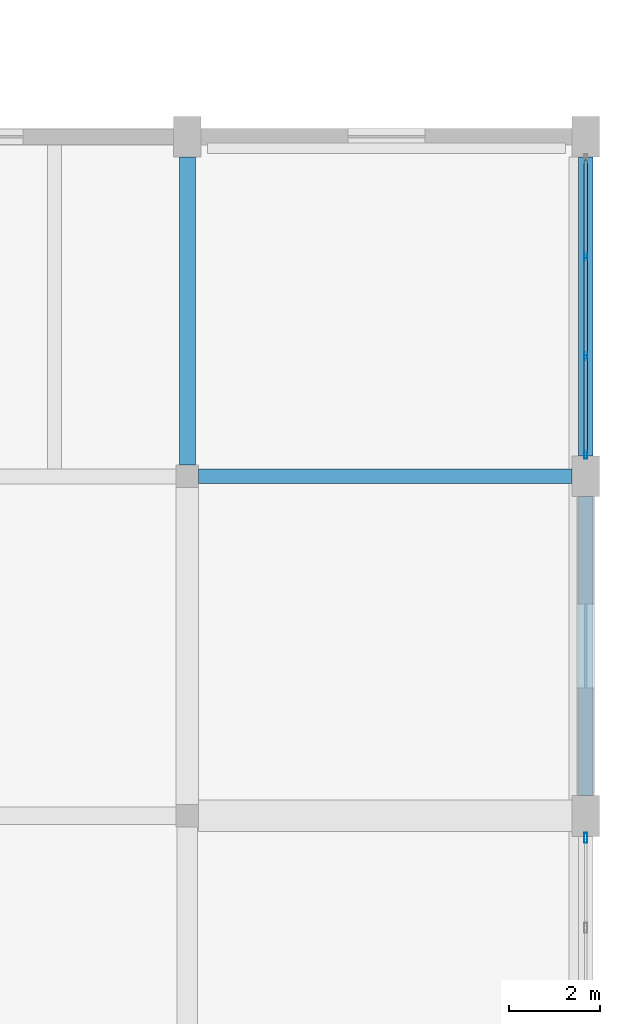
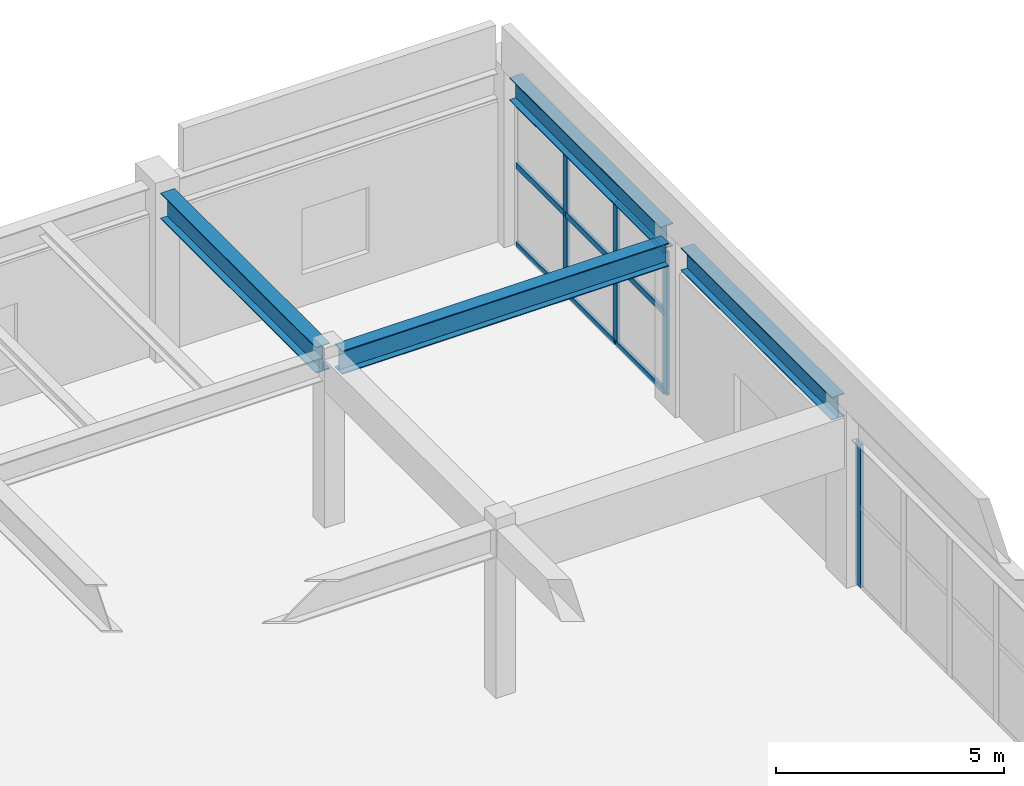
# One storey, part 48 of 80: 13 members, 4 beams, 2 elements without a shape of their own.
"""IFC4 building model written with IfcOpenShell, lengths in metres."""

from ifc_helpers import new_model, si_unit, direction, frame, origin, origin_2d, place, context, subcontext, project, spatial, hollow_rectangle, i_section, extrude, material, layer, layer_set, material_profile, profile_set, type_object, element, aggregate, save


model = new_model("IFC4")

# Units and contexts
model_context = context("Model", 3, precision=1e-05, world=origin(), true_north=direction((0.0, 1.0)))
body_context = subcontext(model_context, "Body", "Model", "MODEL_VIEW")
ifc_project = project(units=[si_unit("LENGTHUNIT", "METRE"), si_unit("AREAUNIT", "SQUARE_METRE"), si_unit("VOLUMEUNIT", "CUBIC_METRE"), si_unit("PLANEANGLEUNIT", "RADIAN"), si_unit("MASSUNIT", "GRAM", prefix="KILO")], contexts=[model_context])

# Site, building, storey
site_placement = place(None, origin())
site = spatial("IfcSite", under=ifc_project, at=site_placement, CompositionType="ELEMENT")
building_placement = place(site_placement, origin())
building = spatial("IfcBuilding", under=site, at=building_placement, Name="Vaelkrest Opera House", CompositionType="ELEMENT")
storey_placement = place(building_placement, frame((0.0, 0.0, 15.0)))
storey = spatial("IfcBuildingStorey", under=building, at=storey_placement, Name="L03", CompositionType="ELEMENT", Elevation=15.0)

# Beams
ifc_material_1 = material(Name="Steel A992 Gr50", Category="steel")
ifc_material_profile_1 = material_profile(ifc_material_1, i_section(OverallWidth=0.35498046875, OverallDepth=0.695068359375, WebThickness=0.015380859375, FlangeThickness=0.02490234375, at=origin_2d()), Name="W27X146")
ifc_profile_set_1 = profile_set([ifc_material_profile_1], Name="Steel A992 Gr50")
beam_type_1 = type_object("IfcBeamType", Name="B10", PredefinedType="BEAM", material=ifc_profile_set_1)
beam_1_placement = place(storey_placement, frame((68.800048828125, 17.949951171875, 4.157470703125), z_axis=(0.0, 1.0, 0.0), x_axis=(-1.0, 0.0, 0.0)))
element("IfcBeam", 1, at=beam_1_placement, inside=storey, type_object=beam_type_1, Name="Beam BM-V4-L03-2381", PredefinedType="BEAM", context=body_context, shape_type="SweptSolid", body=[
    extrude(i_section(OverallWidth=0.35498046875, OverallDepth=0.695068359375, WebThickness=0.015380859375, FlangeThickness=0.02490234375, at=origin_2d()), origin(), (0.0, 0.0, 1.0), 6.800048828125),
])
ifc_material_profile_2 = material_profile(ifc_material_1, i_section(OverallWidth=0.326904296875, OverallDepth=0.6220703125, WebThickness=0.015380859375, FlangeThickness=0.0244140625, at=origin_2d()), Name="W24X131")
ifc_profile_set_2 = profile_set([ifc_material_profile_2], Name="Steel A992 Gr50")
beam_type_2 = type_object("IfcBeamType", Name="B19", PredefinedType="BEAM", material=ifc_profile_set_2)
beam_2_placement = place(storey_placement, frame((69.050048828125, 17.699951171875, 4.194091796875), z_axis=(1.0, 0.0, 0.0), x_axis=(0.0, 1.0, 0.0)))
element("IfcBeam", 2, at=beam_2_placement, inside=storey, type_object=beam_type_2, Name="Beam BM-V4-L03-2355", PredefinedType="BEAM", context=body_context, shape_type="SweptSolid", body=[
    extrude(i_section(OverallWidth=0.326904296875, OverallDepth=0.6220703125, WebThickness=0.015380859375, FlangeThickness=0.0244140625, at=origin_2d()), origin(), (0.0, 0.0, 1.0), 8.25),
])

# Curtain wall, members
ifc_material_2 = material(Name="Dark bronze anodized aluminium", Category="aluminium")
ifc_layer_1 = layer(ifc_material_2, 0.219970703125)
ifc_layer_set_1 = layer_set([ifc_layer_1], Name="Dark bronze anodized aluminium")
curtain_wall_type_1 = type_object("IfcCurtainWallType", Name="CW05", PredefinedType="NOTDEFINED", material=ifc_layer_set_1)
curtain_wall_1_placement = place(storey_placement, origin())
curtain_wall_1 = element("IfcCurtainWall", 3, at=curtain_wall_1_placement, inside=storey, type_object=curtain_wall_type_1, Name="Curtain wall CW-L03-167", PredefinedType="NOTDEFINED")
ifc_material_profile_3 = material_profile(ifc_material_2, hollow_rectangle(XDim=0.06494140625, YDim=0.179931640625, WallThickness=0.00390625, at=origin_2d()), Name="CWM65X180")
ifc_profile_set_3 = profile_set([ifc_material_profile_3], Name="Dark bronze anodized aluminium")
member_type_1 = type_object("IfcMemberType", Name="CWM01", PredefinedType="MULLION", material=ifc_profile_set_3)
member_1_placement = place(storey_placement, frame((77.60009765625, 22.55078125, 0.0), z_axis=(0.0, 0.0, 1.0), x_axis=(1.0, 0.0, 0.0)))
member_1 = element("IfcMember", 4, at=member_1_placement, type_object=member_type_1, Name="CW05 mullion 2", PredefinedType="MULLION", context=body_context, shape_type="SweptSolid", body=[
    extrude(hollow_rectangle(XDim=0.06494140625, YDim=0.179931640625, WallThickness=0.00390625, at=origin_2d()), origin(), (0.0, 0.0, 1.0), 3.8291015625),
])
member_2_placement = place(storey_placement, frame((77.60009765625, 20.349365234375, 0.0), z_axis=(0.0, 0.0, 1.0), x_axis=(1.0, 0.0, 0.0)))
member_2 = element("IfcMember", 5, at=member_2_placement, type_object=member_type_1, Name="CW05 mullion 3", PredefinedType="MULLION", context=body_context, shape_type="SweptSolid", body=[
    extrude(hollow_rectangle(XDim=0.06494140625, YDim=0.179931640625, WallThickness=0.00390625, at=origin_2d()), origin(), (0.0, 0.0, 1.0), 3.8291015625),
])
member_3_placement = place(storey_placement, frame((77.60009765625, 18.180419921875, 0.0), z_axis=(0.0, 0.0, 1.0), x_axis=(1.0, 0.0, 0.0)))
member_3 = element("IfcMember", 6, at=member_3_placement, type_object=member_type_1, Name="CW05 mullion 4", PredefinedType="MULLION", context=body_context, shape_type="SweptSolid", body=[
    extrude(hollow_rectangle(XDim=0.06494140625, YDim=0.179931640625, WallThickness=0.00390625, at=origin_2d()), origin(), (0.0, 0.0, 1.0), 3.8291015625),
])

# Curtain wall, member
ifc_layer_2 = layer(ifc_material_2, 0.239990234375)
ifc_layer_set_2 = layer_set([ifc_layer_2], Name="Dark bronze anodized aluminium")
curtain_wall_type_2 = type_object("IfcCurtainWallType", Name="CW07", PredefinedType="NOTDEFINED", material=ifc_layer_set_2)
curtain_wall_2_placement = place(storey_placement, origin())
curtain_wall_2 = element("IfcCurtainWall", 7, at=curtain_wall_2_placement, inside=storey, type_object=curtain_wall_type_2, Name="Curtain wall CW-L03-168", PredefinedType="NOTDEFINED")
ifc_material_profile_4 = material_profile(ifc_material_2, hollow_rectangle(XDim=0.074951171875, YDim=0.219970703125, WallThickness=0.00439453125, at=origin_2d()), Name="CWM75X220")
ifc_profile_set_4 = profile_set([ifc_material_profile_4], Name="Dark bronze anodized aluminium")
member_type_2 = type_object("IfcMemberType", Name="CWM03", PredefinedType="MULLION", material=ifc_profile_set_4)
member_4_placement = place(storey_placement, frame((77.60009765625, 9.714599609375, 0.0), z_axis=(0.0, 0.0, 1.0), x_axis=(1.0, 0.0, 0.0)))
member_4 = element("IfcMember", 8, at=member_4_placement, type_object=member_type_2, Name="CW07 mullion 1", PredefinedType="MULLION", context=body_context, shape_type="SweptSolid", body=[
    extrude(hollow_rectangle(XDim=0.074951171875, YDim=0.219970703125, WallThickness=0.00439453125, at=origin_2d()), origin(), (0.0, 0.0, 1.0), 3.8291015625),
])
aggregate(curtain_wall_2, [member_4])

# Member
ifc_material_profile_5 = material_profile(ifc_material_2, hollow_rectangle(XDim=0.074951171875, YDim=0.159912109375, WallThickness=0.00439453125, at=origin_2d()), Name="CWT75X160")
ifc_profile_set_5 = profile_set([ifc_material_profile_5], Name="Dark bronze anodized aluminium")
member_type_3 = type_object("IfcMemberType", Name="CWT03", PredefinedType="USERDEFINED", material=ifc_profile_set_5)
member_5_placement = place(storey_placement, frame((77.60009765625, 24.68701171875, 0.03759765625), z_axis=(0.0, -1.0, 0.0), x_axis=(1.0, 0.0, 0.0)))
member_5 = element("IfcMember", 9, at=member_5_placement, type_object=member_type_3, Name="CW05 transom 1.1", ObjectType="TRANSOM", PredefinedType="USERDEFINED", context=body_context, shape_type="SweptSolid", body=[
    extrude(hollow_rectangle(XDim=0.074951171875, YDim=0.159912109375, WallThickness=0.00439453125, at=origin_2d()), origin(), (0.0, 0.0, 1.0), 2.103759765625),
])

member_6_placement = place(storey_placement, frame((77.60009765625, 24.68701171875, 2.14990234375), z_axis=(0.0, -1.0, 0.0), x_axis=(1.0, 0.0, 0.0)))
member_6 = element("IfcMember", 10, at=member_6_placement, type_object=member_type_3, Name="CW05 transom 1.2", ObjectType="TRANSOM", PredefinedType="USERDEFINED", context=body_context, shape_type="SweptSolid", body=[
    extrude(hollow_rectangle(XDim=0.074951171875, YDim=0.159912109375, WallThickness=0.00439453125, at=origin_2d()), origin(), (0.0, 0.0, 1.0), 2.103759765625),
])

member_7_placement = place(storey_placement, frame((77.60009765625, 24.68701171875, 3.79150390625), z_axis=(0.0, -1.0, 0.0), x_axis=(1.0, 0.0, 0.0)))
member_7 = element("IfcMember", 11, at=member_7_placement, type_object=member_type_3, Name="CW05 transom 1.3", ObjectType="TRANSOM", PredefinedType="USERDEFINED", context=body_context, shape_type="SweptSolid", body=[
    extrude(hollow_rectangle(XDim=0.074951171875, YDim=0.159912109375, WallThickness=0.00439453125, at=origin_2d()), origin(), (0.0, 0.0, 1.0), 2.103759765625),
])

member_8_placement = place(storey_placement, frame((77.60009765625, 22.51806640625, 0.03759765625), z_axis=(0.0, -1.0, 0.0), x_axis=(1.0, 0.0, 0.0)))
member_8 = element("IfcMember", 12, at=member_8_placement, type_object=member_type_3, Name="CW05 transom 2.1", ObjectType="TRANSOM", PredefinedType="USERDEFINED", context=body_context, shape_type="SweptSolid", body=[
    extrude(hollow_rectangle(XDim=0.074951171875, YDim=0.159912109375, WallThickness=0.00439453125, at=origin_2d()), origin(), (0.0, 0.0, 1.0), 2.13623046875),
])

member_9_placement = place(storey_placement, frame((77.60009765625, 22.51806640625, 2.14990234375), z_axis=(0.0, -1.0, 0.0), x_axis=(1.0, 0.0, 0.0)))
member_9 = element("IfcMember", 13, at=member_9_placement, type_object=member_type_3, Name="CW05 transom 2.2", ObjectType="TRANSOM", PredefinedType="USERDEFINED", context=body_context, shape_type="SweptSolid", body=[
    extrude(hollow_rectangle(XDim=0.074951171875, YDim=0.159912109375, WallThickness=0.00439453125, at=origin_2d()), origin(), (0.0, 0.0, 1.0), 2.13623046875),
])

member_10_placement = place(storey_placement, frame((77.60009765625, 22.51806640625, 3.79150390625), z_axis=(0.0, -1.0, 0.0), x_axis=(1.0, 0.0, 0.0)))
member_10 = element("IfcMember", 14, at=member_10_placement, type_object=member_type_3, Name="CW05 transom 2.3", ObjectType="TRANSOM", PredefinedType="USERDEFINED", context=body_context, shape_type="SweptSolid", body=[
    extrude(hollow_rectangle(XDim=0.074951171875, YDim=0.159912109375, WallThickness=0.00439453125, at=origin_2d()), origin(), (0.0, 0.0, 1.0), 2.13623046875),
])

member_11_placement = place(storey_placement, frame((77.60009765625, 20.31689453125, 0.03759765625), z_axis=(0.0, -1.0, 0.0), x_axis=(1.0, 0.0, 0.0)))
member_11 = element("IfcMember", 15, at=member_11_placement, type_object=member_type_3, Name="CW05 transom 3.1", ObjectType="TRANSOM", PredefinedType="USERDEFINED", context=body_context, shape_type="SweptSolid", body=[
    extrude(hollow_rectangle(XDim=0.074951171875, YDim=0.159912109375, WallThickness=0.00439453125, at=origin_2d()), origin(), (0.0, 0.0, 1.0), 2.10400390625),
])

member_12_placement = place(storey_placement, frame((77.60009765625, 20.31689453125, 2.14990234375), z_axis=(0.0, -1.0, 0.0), x_axis=(1.0, 0.0, 0.0)))
member_12 = element("IfcMember", 16, at=member_12_placement, type_object=member_type_3, Name="CW05 transom 3.2", ObjectType="TRANSOM", PredefinedType="USERDEFINED", context=body_context, shape_type="SweptSolid", body=[
    extrude(hollow_rectangle(XDim=0.074951171875, YDim=0.159912109375, WallThickness=0.00439453125, at=origin_2d()), origin(), (0.0, 0.0, 1.0), 2.10400390625),
])

member_13_placement = place(storey_placement, frame((77.60009765625, 20.31689453125, 3.79150390625), z_axis=(0.0, -1.0, 0.0), x_axis=(1.0, 0.0, 0.0)))
member_13 = element("IfcMember", 17, at=member_13_placement, type_object=member_type_3, Name="CW05 transom 3.3", ObjectType="TRANSOM", PredefinedType="USERDEFINED", context=body_context, shape_type="SweptSolid", body=[
    extrude(hollow_rectangle(XDim=0.074951171875, YDim=0.159912109375, WallThickness=0.00439453125, at=origin_2d()), origin(), (0.0, 0.0, 1.0), 2.10400390625),
])

aggregate(curtain_wall_1, [member_1, member_2, member_3, member_5, member_6, member_7, member_8, member_9, member_10, member_11, member_12, member_13])

# Beams
ifc_material_profile_6 = material_profile(ifc_material_1, i_section(OverallWidth=0.323974609375, OverallDepth=0.611083984375, WebThickness=0.0126953125, FlangeThickness=0.01904296875, at=origin_2d()), Name="W24X104")
ifc_profile_set_6 = profile_set([ifc_material_profile_6], Name="Steel A992 Gr50")
beam_type_3 = type_object("IfcBeamType", Name="SP01", PredefinedType="SPANDREL", material=ifc_profile_set_6)
for number, where, z_axis, x_axis, name in (
    (18, (77.60009765625, 10.64990234375, 4.199462890625), (0.0, 1.0, 0.0), (-1.0, 0.0, 0.0), "Beam BM-V4-L03-2385"),
    (19, (77.60009765625, 18.14990234375, 4.199462890625), (0.0, 1.0, 0.0), (-1.0, 0.0, 0.0), "Beam BM-V4-L03-2386"),
):
    element("IfcBeam", number, at=place(storey_placement, frame(where, z_axis=z_axis, x_axis=x_axis)), inside=storey, type_object=beam_type_3, Name=name, PredefinedType="SPANDREL", context=body_context, shape_type="SweptSolid", body=[
        extrude(i_section(OverallWidth=0.323974609375, OverallDepth=0.611083984375, WebThickness=0.0126953125, FlangeThickness=0.01904296875, at=origin_2d()), origin(), (0.0, 0.0, 1.0), 6.60009765625),
    ])

save(model, "model.ifc")
